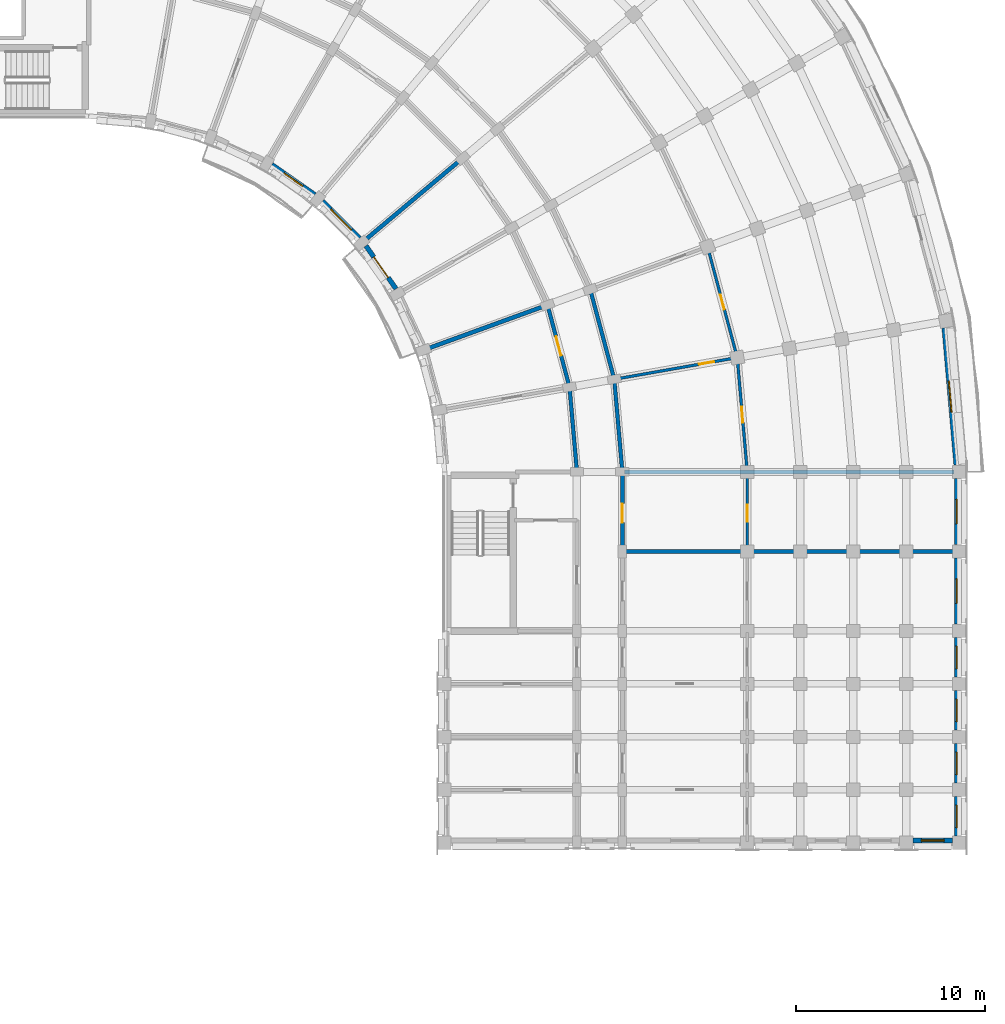
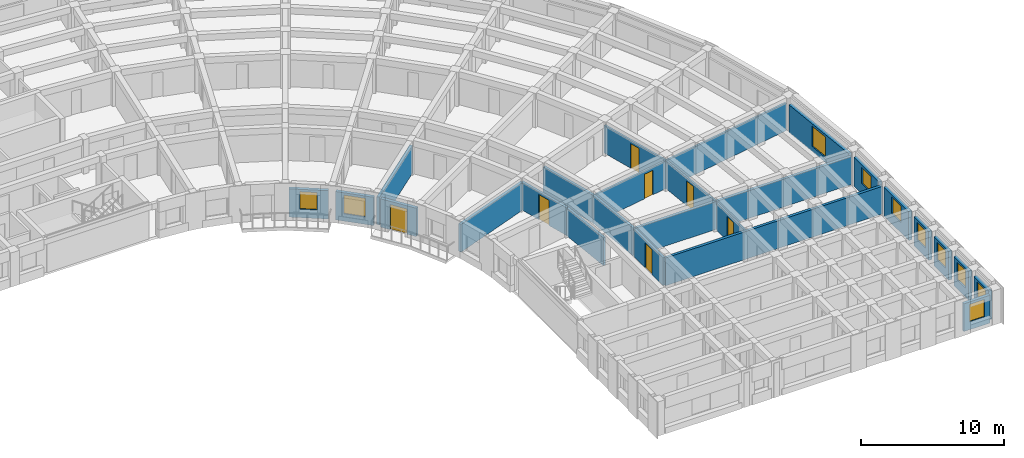
# One storey, part 34 of 57: 24 walls, 10 windows, 7 doors, 17 openings.
"""IFC4 building model written with IfcOpenShell, lengths in metres."""

import ifcopenshell
import ifcopenshell.guid

model = None  # the IFC model being written
_history = None  # IfcOwnerHistory: only IFC2X3 demands one
_inside = {}  # id of a spatial element -> (the spatial element, [elements in it])
_under = {}  # id of a project, library or spatial element -> (it, [spatial elements below it])
_declared = {}  # id of a project -> (the project, [libraries it declares])
_typed = {}  # id of a type object -> (the type object, [elements of that type])
_made_of = {}  # id of a material, layer set ... -> (it, [elements and type objects made of it])


def new_model(schema):
    """Start an empty IFC model of exactly this schema.

    Asked for "IFC4X3", IfcOpenShell would pick the latest addendum, in which some entities
    have other attributes; the version numbers below select the first issue.
    IFC2X3 requires an IfcOwnerHistory on every rooted entity: one is made here for all.
    """
    global model, _history
    if schema == "IFC4X3":
        model = ifcopenshell.file(schema_version=(4, 3, 0, 0))
    else:
        model = ifcopenshell.file(schema=schema)
    _inside.clear()
    _under.clear()
    _declared.clear()
    _typed.clear()
    _made_of.clear()
    _history = None
    if model.schema == "IFC2X3":
        org = make("IfcOrganization", Name="unknown")
        user = make(
            "IfcPersonAndOrganization",
            ThePerson=make("IfcPerson", FamilyName="unknown"),
            TheOrganization=org,
        )
        app = make(
            "IfcApplication",
            ApplicationDeveloper=org,
            Version="unknown",
            ApplicationFullName="unknown",
            ApplicationIdentifier="unknown",
        )
        _history = make(
            "IfcOwnerHistory",
            OwningUser=user,
            OwningApplication=app,
            ChangeAction="ADDED",
            CreationDate=0,
        )
    return model


def make(cls, **values):
    """One entity of the class cls with the attributes given. An attribute that is None is left unset."""
    return model.create_entity(
        cls, **{name: value for name, value in values.items() if value is not None}
    )


def rooted(cls, **values):
    """An entity with a GlobalId (a new one), such as an element, a storey or a relation."""
    return make(cls, GlobalId=ifcopenshell.guid.new(), OwnerHistory=_history, **values)


def si_unit(unit_type, name, prefix=None):
    """IfcSIUnit, for example si_unit("LENGTHUNIT", "METRE", prefix="MILLI")."""
    return make("IfcSIUnit", UnitType=unit_type, Prefix=prefix, Name=name)


def assignment(units):
    """IfcUnitAssignment: the units of a project."""
    return None if units is None else make("IfcUnitAssignment", Units=units)


def point(xyz):
    """IfcCartesianPoint."""
    return None if xyz is None else make("IfcCartesianPoint", Coordinates=xyz)


def direction(xyz):
    """IfcDirection."""
    return None if xyz is None else make("IfcDirection", DirectionRatios=xyz)


def frame(location, z_axis=None, x_axis=None):
    """IfcAxis2Placement3D, a coordinate frame: its origin and axes. An axis left out is left unset."""
    return make(
        "IfcAxis2Placement3D",
        Location=point(location),
        Axis=direction(z_axis),
        RefDirection=direction(x_axis),
    )


def frame_2d(location, x_axis=None):
    """IfcAxis2Placement2D, a coordinate frame in the plane: its origin and x axis."""
    return make(
        "IfcAxis2Placement2D", Location=point(location), RefDirection=direction(x_axis)
    )


def origin():
    """The frame at (0, 0, 0) with its axes left unset."""
    return frame((0.0, 0.0, 0.0))


def place(relative_to, where):
    """IfcLocalPlacement: puts the frame where relative to a parent placement (None: the world)."""
    return make(
        "IfcLocalPlacement", PlacementRelTo=relative_to, RelativePlacement=where
    )


def context(
    kind, dimensions, precision=None, world=None, true_north=None, identifier=None
):
    """IfcGeometricRepresentationContext, for example the 3D "Model" context."""
    return make(
        "IfcGeometricRepresentationContext",
        ContextIdentifier=identifier,
        ContextType=kind,
        CoordinateSpaceDimension=dimensions,
        Precision=precision,
        WorldCoordinateSystem=world,
        TrueNorth=true_north,
    )


def subcontext(parent, identifier, kind, view, scale=None):
    """IfcGeometricRepresentationSubContext, for example "Body" below "Model"."""
    return make(
        "IfcGeometricRepresentationSubContext",
        ContextIdentifier=identifier,
        ContextType=kind,
        ParentContext=parent,
        TargetScale=scale,
        TargetView=view,
    )


def project(units=None, contexts=None):
    """IfcProject with its units and contexts."""
    return rooted(
        "IfcProject",
        Name="project",
        RepresentationContexts=contexts,
        UnitsInContext=assignment(units),
    )


def spatial(cls, under=None, at=None, **own):
    """A site, building, storey or space (cls), placed at a placement, below another one or the project."""
    s = rooted(cls, ObjectPlacement=at, **own)
    if under is not None:
        _under.setdefault(under.id(), (under, []))[1].append(s)
    return s


def profile(cls, at=None, kind="AREA", **sizes):
    """A parametric profile (cls). Its sizes go by their IFC names, for example OverallWidth=200.0."""
    return make(cls, ProfileType=kind, Position=at, **sizes)


def rectangle(**sizes):
    """IfcRectangleProfileDef."""
    return profile("IfcRectangleProfileDef", **sizes)


def extrude(swept, where, along, depth):
    """IfcExtrudedAreaSolid: the profile swept, set in the frame where, extruded along a direction by depth."""
    return make(
        "IfcExtrudedAreaSolid",
        SweptArea=swept,
        Position=where,
        ExtrudedDirection=direction(along),
        Depth=depth,
    )


def shape(context_of_items, identifier, shape_type, items):
    """IfcShapeRepresentation: the items that make up one representation, for example the "Body"."""
    return make(
        "IfcShapeRepresentation",
        ContextOfItems=context_of_items,
        RepresentationIdentifier=identifier,
        RepresentationType=shape_type,
        Items=items,
    )


def material(Name=None, Category=None):
    """IfcMaterial."""
    return make("IfcMaterial", Name=Name, Category=Category)


def layer(
    of_material, thickness, ventilated=None, Name=None, Category=None, Priority=None
):
    """IfcMaterialLayer: one layer of a wall or slab, of a material (None: an air gap)."""
    return make(
        "IfcMaterialLayer",
        Material=of_material,
        LayerThickness=thickness,
        IsVentilated=ventilated,
        Name=Name,
        Category=Category,
        Priority=Priority,
    )


def layer_set(layers, Name=None):
    """IfcMaterialLayerSet."""
    return make("IfcMaterialLayerSet", MaterialLayers=layers, LayerSetName=Name)


def made_of(thing, what):
    """Note that an element or type object is made of a material, layer set ...; save() writes the relation."""
    if what is not None:
        _made_of.setdefault(what.id(), (what, []))[1].append(thing)
    return thing


def type_object(cls, material=None, **own):
    """A type object (cls), such as IfcWallType, which elements share."""
    return made_of(rooted(cls, **own), material)


def element(
    cls,
    number,
    at=None,
    inside=None,
    cuts=None,
    type_object=None,
    material=None,
    context=None,
    identifier="Body",
    shape_type=None,
    held_by="IfcProductDefinitionShape",
    body=None,
    shapes=None,
    **own,
):
    """One element of the class cls, such as IfcWall. Its Tag is "e" and its number.

    at: its placement. inside: the storey or other place that contains it. cuts: it is an
    opening in that element (IfcRelVoidsElement). A single representation is given by context,
    identifier, shape_type and body (its items); several are given by shapes. held_by: the class
    of the entity that holds the representations. save() writes the other relations.
    """
    e = rooted(cls, Tag="e%d" % number, ObjectPlacement=at, **own)
    if body is not None:
        shapes = [shape(context, identifier, shape_type, body)]
    if shapes is not None:
        e.Representation = make(held_by, Representations=shapes)
    if inside is not None:
        _inside.setdefault(inside.id(), (inside, []))[1].append(e)
    if cuts is not None:
        rooted(
            "IfcRelVoidsElement", RelatingBuildingElement=cuts, RelatedOpeningElement=e
        )
    if type_object is not None:
        _typed.setdefault(type_object.id(), (type_object, []))[1].append(e)
    return made_of(e, material)


def fill(opening, filler):
    """IfcRelFillsElement: the door or window that sits in an opening."""
    return rooted(
        "IfcRelFillsElement",
        RelatingOpeningElement=opening,
        RelatedBuildingElement=filler,
    )


def aggregate(whole, parts):
    """IfcRelAggregates: a whole, such as a stair, and the parts it consists of."""
    return rooted("IfcRelAggregates", RelatingObject=whole, RelatedObjects=parts)


def save(model, path):
    """Write the relations noted so far, then the file.

    IfcRelAggregates (storeys below a building ...), IfcRelContainedInSpatialStructure (elements
    in a storey), IfcRelDefinesByType, IfcRelAssociatesMaterial and IfcRelDeclares: one each for
    every whole, place, type object, material and project.
    """
    for whole, parts in _under.values():
        aggregate(whole, parts)
    for where, things in _inside.values():
        rooted(
            "IfcRelContainedInSpatialStructure",
            RelatedElements=things,
            RelatingStructure=where,
        )
    for kind, things in _typed.values():
        rooted("IfcRelDefinesByType", RelatedObjects=things, RelatingType=kind)
    for what, things in _made_of.values():
        rooted("IfcRelAssociatesMaterial", RelatedObjects=things, RelatingMaterial=what)
    for by, libraries in _declared.values():
        rooted("IfcRelDeclares", RelatingContext=by, RelatedDefinitions=libraries)
    model.write(path)


model = new_model("IFC4")

# Units and contexts
model_context = context("Model", 3, precision=1e-05, world=origin(), true_north=direction((0.0, 1.0)))
body_context = subcontext(model_context, "Body", "Model", "MODEL_VIEW")
ifc_project = project(units=[si_unit("LENGTHUNIT", "METRE"), si_unit("AREAUNIT", "SQUARE_METRE"), si_unit("VOLUMEUNIT", "CUBIC_METRE"), si_unit("PLANEANGLEUNIT", "RADIAN"), si_unit("MASSUNIT", "GRAM", prefix="KILO")], contexts=[model_context])

# Site, building, storey
site_placement = place(None, origin())
site = spatial("IfcSite", under=ifc_project, at=site_placement, CompositionType="ELEMENT")
building_placement = place(site_placement, origin())
building = spatial("IfcBuilding", under=site, at=building_placement, Name="Kiranvali Square Residences", CompositionType="ELEMENT")
storey_placement = place(building_placement, frame((0.0, 0.0, 18.14990234375)))
storey = spatial("IfcBuildingStorey", under=building, at=storey_placement, Name="L05", CompositionType="ELEMENT", Elevation=18.14990234375)

# Wall, opening, door
ifc_material_1 = material(Name="Autoclaved aerated concrete blockwork masonry", Category="masonry")
ifc_layer_1 = layer(ifc_material_1, 0.199951171875)
ifc_layer_set_1 = layer_set([ifc_layer_1], Name="Autoclaved aerated concrete blockwork masonry")
wall_type_1 = type_object("IfcWallType", Name="WL-COR-200", PredefinedType="STANDARD", material=ifc_layer_set_1)
wall_1_placement = place(storey_placement, frame((144.044189453125, 96.6240234375, 0.0), z_axis=(0.0, 0.0, 1.0), x_axis=(0.258787642463, -0.965934240054, 0.0)))
wall_1 = element("IfcWall", 1, at=wall_1_placement, inside=storey, type_object=wall_type_1, Name="L05 architectural wall WL-L05-B-CCI-7", PredefinedType="STANDARD", context=body_context, shape_type="SweptSolid", body=[
    extrude(rectangle(XDim=4.497314453125, YDim=0.199951171875, at=frame_2d((2.24853515625, 0.0))), origin(), (0.0, 0.0, 1.0), 2.3720703125),
])
opening_1_placement = place(wall_1_placement, frame((1.728515625, 0.0, 0.0)))
opening_1 = element("IfcOpeningElement", 2, at=opening_1_placement, cuts=wall_1, Name="Opening FD-APT-60B", PredefinedType="OPENING", context=body_context, shape_type="SweptSolid", body=[
    extrude(rectangle(XDim=1.0400390625, YDim=2.14990234375, at=frame_2d((0.52001953125, 1.074951171875))), frame((0.0, 0.10986328125, 0.0), z_axis=(0.0, -1.0, 0.0), x_axis=(1.0, 0.0, 0.0)), (0.0, 0.0, 1.0), 0.219970703125),
])
ifc_material_2 = material(Name="Fire-rated acoustic hardwood and mineral-core door assembly", Category="wood")
door_type_1 = type_object("IfcDoorType", Name="DR-APT-1040", OperationType="NOTDEFINED", PredefinedType="DOOR", material=ifc_material_2)
door_1_placement = place(opening_1_placement, origin())
door_1 = element("IfcDoor", 3, at=door_1_placement, inside=storey, type_object=door_type_1, Name="L05 door DR-L05-1309 (DR-APT-1040)", OperationType="SINGLE_SWING_LEFT", OverallHeight=2.14990234375, OverallWidth=1.0400390625, PredefinedType="DOOR", context=body_context, shape_type="SweptSolid", body=[
    extrude(rectangle(XDim=1.0400390625, YDim=2.14990234375, at=frame_2d((0.52001953125, 1.074951171875))), frame((0.0, 0.02490234375, 0.0), z_axis=(0.0, -1.0, 0.0), x_axis=(1.0, 0.0, 0.0)), (0.0, 0.0, 1.0), 0.050048828125),
])
fill(opening_1, door_1)

# Walls
wall_2_placement = place(storey_placement, frame((146.29931640625, 97.445068359375, 0.0), z_axis=(0.0, 0.0, 1.0), x_axis=(0.258803112091, -0.965930095386, 0.0)))
element("IfcWall", 4, at=wall_2_placement, inside=storey, type_object=wall_type_1, Name="L05 architectural wall WL-L05-B-CCO-7", PredefinedType="STANDARD", context=body_context, shape_type="SweptSolid", body=[
    extrude(rectangle(XDim=4.915771484375, YDim=0.199951171875, at=frame_2d((2.4580078125, 0.0))), origin(), (0.0, 0.0, 1.0), 2.3720703125),
])
wall_3_placement = place(storey_placement, frame((145.2080078125, 92.280029296875, 0.0), z_axis=(0.0, 0.0, 1.0), x_axis=(0.087187153726, -0.996191949488, 0.0)))
element("IfcWall", 5, at=wall_3_placement, inside=storey, type_object=wall_type_1, Name="L05 architectural wall WL-L05-B-CCI-8", PredefinedType="STANDARD", context=body_context, shape_type="SweptSolid", body=[
    extrude(rectangle(XDim=4.4970703125, YDim=0.199951171875, at=frame_2d((2.24853515625, 0.0))), origin(), (0.0, 0.0, 1.0), 2.3720703125),
])
wall_4_placement = place(storey_placement, frame((147.571533203125, 92.69677734375, 0.0), z_axis=(0.0, 0.0, 1.0), x_axis=(0.087167566415, -0.996193663584, 0.0)))
element("IfcWall", 6, at=wall_4_placement, inside=storey, type_object=wall_type_1, Name="L05 architectural wall WL-L05-B-CCO-8", PredefinedType="STANDARD", context=body_context, shape_type="SweptSolid", body=[
    extrude(rectangle(XDim=4.91552734375, YDim=0.199951171875, at=frame_2d((2.457763671875, 0.0))), origin(), (0.0, 0.0, 1.0), 2.3720703125),
])

# Wall, opening, door
wall_5_placement = place(storey_placement, frame((148.0, 87.64990234375, 0.0), z_axis=(0.0, 0.0, 1.0), x_axis=(0.0, -1.0, 0.0)))
wall_5 = element("IfcWall", 7, at=wall_5_placement, inside=storey, type_object=wall_type_1, Name="L05 architectural wall WL-L05-B-A2CF-C0", PredefinedType="STANDARD", context=body_context, shape_type="SweptSolid", body=[
    extrude(rectangle(XDim=4.0498046875, YDim=0.199951171875, at=frame_2d((2.02490234375, 0.0))), origin(), (0.0, 0.0, 1.0), 2.3720703125),
])
opening_2_placement = place(wall_5_placement, frame((1.52490234375, 0.0, 0.0)))
opening_2 = element("IfcOpeningElement", 8, at=opening_2_placement, cuts=wall_5, Name="Opening FD-APT-60", PredefinedType="OPENING", context=body_context, shape_type="SweptSolid", body=[
    extrude(rectangle(XDim=1.0, YDim=2.14990234375, at=frame_2d((0.5, 1.074951171875))), frame((0.0, 0.10986328125, 0.0), z_axis=(0.0, -1.0, 0.0), x_axis=(1.0, 0.0, 0.0)), (0.0, 0.0, 1.0), 0.219970703125),
])
door_type_2 = type_object("IfcDoorType", Name="DR-APT-1000", OperationType="NOTDEFINED", PredefinedType="DOOR", material=ifc_material_2)
door_2_placement = place(opening_2_placement, frame((1.0, 0.0, 0.0), z_axis=(0.0, 0.0, 1.0), x_axis=(-1.0, 0.0, 0.0)))
door_2 = element("IfcDoor", 9, at=door_2_placement, inside=storey, type_object=door_type_2, Name="L05 door DR-L05-1310 (DR-APT-1000)", OperationType="SINGLE_SWING_RIGHT", OverallHeight=2.14990234375, OverallWidth=1.0, PredefinedType="DOOR", context=body_context, shape_type="SweptSolid", body=[
    extrude(rectangle(XDim=1.0, YDim=2.14990234375, at=frame_2d((0.5, 1.074951171875))), frame((0.0, 0.02490234375, 0.0), z_axis=(0.0, -1.0, 0.0), x_axis=(1.0, 0.0, 0.0)), (0.0, 0.0, 1.0), 0.050048828125),
])
fill(opening_2, door_2)

# Walls
ifc_layer_2 = layer(ifc_material_1, 0.219970703125)
ifc_layer_set_2 = layer_set([ifc_layer_2], Name="Autoclaved aerated concrete blockwork masonry")
wall_type_2 = type_object("IfcWallType", Name="WL-DEM-220", PredefinedType="STANDARD", material=ifc_layer_set_2)
for number, where, z_axis, x_axis, name in (
    (10, (134.354736328125, 100.012939453125, 0.0), (0.0, 0.0, 1.0), (0.766046761698, 0.642784846501, 0.0), "L05 architectural wall WL-L05-B-RADI-5"),
    (11, (137.654052734375, 94.29833984375, 0.0), (0.0, 0.0, 1.0), (0.939696231917, 0.342010221662, 0.0), "L05 architectural wall WL-L05-B-RADI-7"),
):
    element("IfcWall", number, at=place(storey_placement, frame(where, z_axis=z_axis, x_axis=x_axis)), inside=storey, type_object=wall_type_2, Name=name, PredefinedType="STANDARD", context=body_context, shape_type="SweptSolid", body=[
        extrude(rectangle(XDim=6.75, YDim=0.219970703125, at=frame_2d((3.375, 0.0))), origin(), (0.0, 0.0, 1.0), 2.3720703125),
    ])
wall_6_placement = place(storey_placement, frame((148.10009765625, 87.800048828125, 0.0), z_axis=(0.0, 0.0, 1.0), x_axis=(1.0, 0.0, 0.0)))
element("IfcWall", 12, at=wall_6_placement, inside=storey, type_object=wall_type_2, Name="L05 architectural wall WL-L05-B-RADO-9", PredefinedType="STANDARD", context=body_context, shape_type="SweptSolid", body=[
    extrude(rectangle(XDim=17.419921875, YDim=0.219970703125, at=frame_2d((8.7099609375, 0.0))), origin(), (0.0, 0.0, 1.0), 2.3720703125),
])
wall_7_placement = place(storey_placement, frame((148.050048828125, 83.60009765625, 0.0), z_axis=(0.0, 0.0, 1.0), x_axis=(1.0, 0.0, 0.0)))
element("IfcWall", 13, at=wall_7_placement, inside=storey, type_object=wall_type_2, Name="L05 architectural wall WL-L05-B-A2CF-MID", PredefinedType="STANDARD", context=body_context, shape_type="SweptSolid", body=[
    extrude(rectangle(XDim=17.530029296875, YDim=0.219970703125, at=frame_2d((8.76513671875, 0.0))), origin(), (0.0, 0.0, 1.0), 2.3720703125),
])

# Wall, opening, window
ifc_material_3 = material(Name="Breathable lime-rendered clay brick masonry", Category="masonry")
ifc_layer_3 = layer(ifc_material_3, 0.25)
ifc_layer_set_3 = layer_set([ifc_layer_3], Name="Breathable lime-rendered clay brick masonry")
wall_type_3 = type_object("IfcWallType", Name="WL-EXT-250", PredefinedType="STANDARD", material=ifc_layer_set_3)
wall_8_placement = place(storey_placement, frame((165.00927734375, 95.402587890625, 0.0), z_axis=(0.0, 0.0, 1.0), x_axis=(0.08718487158, -0.99619214922, 0.0)))
wall_8 = element("IfcWall", 14, at=wall_8_placement, inside=storey, type_object=wall_type_3, Name="L05 exterior wall B-L05-CRV-08", PredefinedType="STANDARD", context=body_context, shape_type="SweptSolid", body=[
    extrude(rectangle(XDim=7.2666015625, YDim=0.25, at=frame_2d((3.63330078125, 0.0))), origin(), (0.0, 0.0, 1.0), 2.3720703125),
])
opening_3_placement = place(wall_8_placement, frame((2.808349609375, 0.0, 0.422119140625)))
opening_3 = element("IfcOpeningElement", 15, at=opening_3_placement, cuts=wall_8, Name="Opening W-13", PredefinedType="OPENING", context=body_context, shape_type="SweptSolid", body=[
    extrude(rectangle(XDim=1.64990234375, YDim=1.75, at=frame_2d((0.824951171875, 0.875))), frame((0.0, 0.135009765625, 0.0), z_axis=(0.0, -1.0, 0.0), x_axis=(1.0, 0.0, 0.0)), (0.0, 0.0, 1.0), 0.27001953125),
])
ifc_material_4 = material(Name="Solar-control low-e double glazing", Category="glass")
window_type_1 = type_object("IfcWindowType", Name="WIN-RES-1650x1750", PartitioningType="DOUBLE_PANEL_VERTICAL", PredefinedType="WINDOW", material=ifc_material_4)
window_1_placement = place(opening_3_placement, origin())
window_1 = element("IfcWindow", 16, at=window_1_placement, inside=storey, type_object=window_type_1, Name="L05 recessed window B-L05-CRV-08", OverallHeight=1.75, OverallWidth=1.64990234375, PartitioningType="DOUBLE_PANEL_VERTICAL", PredefinedType="WINDOW", context=body_context, shape_type="SweptSolid", body=[
    extrude(rectangle(XDim=1.64990234375, YDim=1.75, at=frame_2d((0.824951171875, 0.875))), frame((0.0, 0.030029296875, 0.0), z_axis=(0.0, -1.0, 0.0), x_axis=(1.0, 0.0, 0.0)), (0.0, 0.0, 1.0), 0.06005859375),
])
fill(opening_3, window_1)

wall_9_placement = place(storey_placement, frame((129.4794921875, 104.038330078125, 0.0), z_axis=(0.0, 0.0, 1.0), x_axis=(0.819111815273, -0.573633885053, 0.0)))
wall_9 = element("IfcWall", 17, at=wall_9_placement, inside=storey, type_object=wall_type_3, Name="L05 exterior wall B-L05-GDN-03", PredefinedType="STANDARD", context=body_context, shape_type="SweptSolid", body=[
    extrude(rectangle(XDim=2.769775390625, YDim=0.25, at=frame_2d((1.384765625, 0.0))), origin(), (0.0, 0.0, 1.0), 2.422119140625),
])
opening_4_placement = place(wall_9_placement, frame((0.784912109375, 0.0, 0.721923828125)))
opening_4 = element("IfcOpeningElement", 18, at=opening_4_placement, cuts=wall_9, Name="Opening W-06", PredefinedType="OPENING", context=body_context, shape_type="SweptSolid", body=[
    extrude(rectangle(XDim=1.199951171875, YDim=1.5, at=frame_2d((0.60009765625, 0.75))), frame((0.0, 0.135009765625, 0.0), z_axis=(0.0, -1.0, 0.0), x_axis=(1.0, 0.0, 0.0)), (0.0, 0.0, 1.0), 0.27001953125),
])
window_type_2 = type_object("IfcWindowType", Name="WIN-RES-1200x1500", PartitioningType="SINGLE_PANEL", PredefinedType="WINDOW", material=ifc_material_4)
window_2_placement = place(opening_4_placement, origin())
window_2 = element("IfcWindow", 19, at=window_2_placement, inside=storey, type_object=window_type_2, Name="L05 recessed window B-L05-GDN-03", OverallHeight=1.5, OverallWidth=1.199951171875, PartitioningType="SINGLE_PANEL", PredefinedType="WINDOW", context=body_context, shape_type="SweptSolid", body=[
    extrude(rectangle(XDim=1.199951171875, YDim=1.5, at=frame_2d((0.60009765625, 0.75))), frame((0.0, 0.030029296875, 0.0), z_axis=(0.0, -1.0, 0.0), x_axis=(1.0, 0.0, 0.0)), (0.0, 0.0, 1.0), 0.06005859375),
])
fill(opening_4, window_2)

wall_10_placement = place(storey_placement, frame((132.152099609375, 102.11083984375, 0.0), z_axis=(0.0, 0.0, 1.0), x_axis=(0.707106781187, -0.707106781187, 0.0)))
wall_10 = element("IfcWall", 20, at=wall_10_placement, inside=storey, type_object=wall_type_3, Name="L05 exterior wall B-L05-GDN-04", PredefinedType="STANDARD", context=body_context, shape_type="SweptSolid", body=[
    extrude(rectangle(XDim=2.77001953125, YDim=0.25, at=frame_2d((1.385009765625, 0.0))), origin(), (0.0, 0.0, 1.0), 2.422119140625),
])
opening_5_placement = place(wall_10_placement, frame((0.60986328125, 0.0, 0.6220703125)))
opening_5 = element("IfcOpeningElement", 21, at=opening_5_placement, cuts=wall_10, Name="Opening W-18", PredefinedType="OPENING", context=body_context, shape_type="SweptSolid", body=[
    extrude(rectangle(XDim=1.550048828125, YDim=1.60009765625, at=frame_2d((0.77490234375, 0.800048828125))), frame((0.0, 0.135009765625, 0.0), z_axis=(0.0, -1.0, 0.0), x_axis=(1.0, 0.0, 0.0)), (0.0, 0.0, 1.0), 0.27001953125),
])
window_type_3 = type_object("IfcWindowType", Name="WIN-GDN-1550x1600", PartitioningType="DOUBLE_PANEL_VERTICAL", PredefinedType="WINDOW", material=ifc_material_4)
window_3_placement = place(opening_5_placement, origin())
window_3 = element("IfcWindow", 22, at=window_3_placement, inside=storey, type_object=window_type_3, Name="L05 recessed window B-L05-GDN-04", OverallHeight=1.60009765625, OverallWidth=1.550048828125, PartitioningType="DOUBLE_PANEL_VERTICAL", PredefinedType="WINDOW", context=body_context, shape_type="SweptSolid", body=[
    extrude(rectangle(XDim=1.550048828125, YDim=1.60009765625, at=frame_2d((0.77490234375, 0.800048828125))), frame((0.0, 0.030029296875, 0.0), z_axis=(0.0, -1.0, 0.0), x_axis=(1.0, 0.0, 0.0)), (0.0, 0.0, 1.0), 0.06005859375),
])
fill(opening_5, window_3)

# Wall, opening, door
wall_11_placement = place(storey_placement, frame((134.449462890625, 99.748291015625, 0.0), z_axis=(0.0, 0.0, 1.0), x_axis=(0.573633885053, -0.819111815273, 0.0)))
wall_11 = element("IfcWall", 23, at=wall_11_placement, inside=storey, type_object=wall_type_3, Name="L05 exterior wall B-L05-GDN-05", PredefinedType="STANDARD", context=body_context, shape_type="SweptSolid", body=[
    extrude(rectangle(XDim=2.769775390625, YDim=0.25, at=frame_2d((1.384765625, 0.0))), origin(), (0.0, 0.0, 1.0), 2.422119140625),
])
opening_6_placement = place(wall_11_placement, frame((0.724853515625, 0.0, 0.0)))
opening_6 = element("IfcOpeningElement", 24, at=opening_6_placement, cuts=wall_11, Name="Opening ED-BAL-3", PredefinedType="OPENING", context=body_context, shape_type="SweptSolid", body=[
    extrude(rectangle(XDim=1.320068359375, YDim=2.14990234375, at=frame_2d((0.66015625, 1.074951171875))), frame((0.0, 0.135009765625, 0.0), z_axis=(0.0, -1.0, 0.0), x_axis=(1.0, 0.0, 0.0)), (0.0, 0.0, 1.0), 0.27001953125),
])
ifc_material_5 = material(Name="Anodised bronze aluminium framing", Category="aluminium")
door_type_3 = type_object("IfcDoorType", Name="DR-BAL-1320", OperationType="NOTDEFINED", PredefinedType="DOOR", material=ifc_material_5)
door_3_placement = place(opening_6_placement, frame((1.320068359375, 0.0, 0.0), z_axis=(0.0, 0.0, 1.0), x_axis=(-1.0, 0.0, 0.0)))
door_3 = element("IfcDoor", 25, at=door_3_placement, inside=storey, type_object=door_type_3, Name="L05 balcony terrace door", OperationType="SINGLE_SWING_RIGHT", OverallHeight=2.14990234375, OverallWidth=1.320068359375, PredefinedType="DOOR", context=body_context, shape_type="SweptSolid", body=[
    extrude(rectangle(XDim=1.320068359375, YDim=2.14990234375, at=frame_2d((0.66015625, 1.074951171875))), frame((0.0, 0.02490234375, 0.0), z_axis=(0.0, -1.0, 0.0), x_axis=(1.0, 0.0, 0.0)), (0.0, 0.0, 1.0), 0.050048828125),
])
fill(opening_6, door_3)

# Wall, opening, window
wall_12_placement = place(storey_placement, frame((165.675048828125, 87.446533203125, 0.0), z_axis=(0.0, 0.0, 1.0), x_axis=(0.0, -1.0, 0.0)))
wall_12 = element("IfcWall", 26, at=wall_12_placement, inside=storey, type_object=wall_type_3, Name="L05 exterior wall B-L05-A2O-0", PredefinedType="STANDARD", context=body_context, shape_type="SweptSolid", body=[
    extrude(rectangle(XDim=3.492919921875, YDim=0.25, at=frame_2d((1.74658203125, 0.0))), origin(), (0.0, 0.0, 1.0), 2.47216796875),
])
opening_7_placement = place(wall_12_placement, frame((1.096435546875, 0.0, 0.8798828125)))
opening_7 = element("IfcOpeningElement", 27, at=opening_7_placement, cuts=wall_12, Name="Opening W-23", PredefinedType="OPENING", context=body_context, shape_type="SweptSolid", body=[
    extrude(rectangle(XDim=1.300048828125, YDim=1.39990234375, at=frame_2d((0.64990234375, 0.699951171875))), frame((0.0, 0.135009765625, 0.0), z_axis=(0.0, -1.0, 0.0), x_axis=(1.0, 0.0, 0.0)), (0.0, 0.0, 1.0), 0.27001953125),
])
window_type_4 = type_object("IfcWindowType", Name="WIN-COR-1300x1400", PartitioningType="DOUBLE_PANEL_HORIZONTAL", PredefinedType="WINDOW", material=ifc_material_4)
window_4_placement = place(opening_7_placement, origin())
window_4 = element("IfcWindow", 28, at=window_4_placement, inside=storey, type_object=window_type_4, Name="L05 recessed window B-L05-A2O-0", OverallHeight=1.39990234375, OverallWidth=1.300048828125, PartitioningType="DOUBLE_PANEL_HORIZONTAL", PredefinedType="WINDOW", context=body_context, shape_type="SweptSolid", body=[
    extrude(rectangle(XDim=1.300048828125, YDim=1.39990234375, at=frame_2d((0.64990234375, 0.699951171875))), frame((0.0, 0.030029296875, 0.0), z_axis=(0.0, -1.0, 0.0), x_axis=(1.0, 0.0, 0.0)), (0.0, 0.0, 1.0), 0.06005859375),
])
fill(opening_7, window_4)

wall_13_placement = place(storey_placement, frame((165.675048828125, 83.24658203125, 0.0), z_axis=(0.0, 0.0, 1.0), x_axis=(0.0, -1.0, 0.0)))
wall_13 = element("IfcWall", 29, at=wall_13_placement, inside=storey, type_object=wall_type_3, Name="L05 exterior wall B-L05-A2O-1", PredefinedType="STANDARD", context=body_context, shape_type="SweptSolid", body=[
    extrude(rectangle(XDim=3.4931640625, YDim=0.25, at=frame_2d((1.74658203125, 0.0))), origin(), (0.0, 0.0, 1.0), 2.47216796875),
])
opening_8_placement = place(wall_13_placement, frame((1.096435546875, 0.0, 0.8798828125)))
opening_8 = element("IfcOpeningElement", 30, at=opening_8_placement, cuts=wall_13, Name="Opening W-23", PredefinedType="OPENING", context=body_context, shape_type="SweptSolid", body=[
    extrude(rectangle(XDim=1.300048828125, YDim=1.39990234375, at=frame_2d((0.64990234375, 0.699951171875))), frame((0.0, 0.135009765625, 0.0), z_axis=(0.0, -1.0, 0.0), x_axis=(1.0, 0.0, 0.0)), (0.0, 0.0, 1.0), 0.27001953125),
])
window_5_placement = place(opening_8_placement, origin())
window_5 = element("IfcWindow", 31, at=window_5_placement, inside=storey, type_object=window_type_4, Name="L05 recessed window B-L05-A2O-1", OverallHeight=1.39990234375, OverallWidth=1.300048828125, PartitioningType="DOUBLE_PANEL_HORIZONTAL", PredefinedType="WINDOW", context=body_context, shape_type="SweptSolid", body=[
    extrude(rectangle(XDim=1.300048828125, YDim=1.39990234375, at=frame_2d((0.64990234375, 0.699951171875))), frame((0.0, 0.030029296875, 0.0), z_axis=(0.0, -1.0, 0.0), x_axis=(1.0, 0.0, 0.0)), (0.0, 0.0, 1.0), 0.06005859375),
])
fill(opening_8, window_5)

wall_14_placement = place(storey_placement, frame((165.675048828125, 79.04638671875, 0.0), z_axis=(0.0, 0.0, 1.0), x_axis=(0.0, -1.0, 0.0)))
wall_14 = element("IfcWall", 32, at=wall_14_placement, inside=storey, type_object=wall_type_3, Name="L05 exterior wall B-L05-A2O-2", PredefinedType="STANDARD", context=body_context, shape_type="SweptSolid", body=[
    extrude(rectangle(XDim=2.0927734375, YDim=0.25, at=frame_2d((1.04638671875, 0.0))), origin(), (0.0, 0.0, 1.0), 2.47216796875),
])
opening_9_placement = place(wall_14_placement, frame((0.446533203125, 0.0, 0.77197265625)))
opening_9 = element("IfcOpeningElement", 33, at=opening_9_placement, cuts=wall_14, Name="Opening W-06", PredefinedType="OPENING", context=body_context, shape_type="SweptSolid", body=[
    extrude(rectangle(XDim=1.199951171875, YDim=1.5, at=frame_2d((0.60009765625, 0.75))), frame((0.0, 0.135009765625, 0.0), z_axis=(0.0, -1.0, 0.0), x_axis=(1.0, 0.0, 0.0)), (0.0, 0.0, 1.0), 0.27001953125),
])
window_6_placement = place(opening_9_placement, origin())
window_6 = element("IfcWindow", 34, at=window_6_placement, inside=storey, type_object=window_type_2, Name="L05 recessed window B-L05-A2O-2", OverallHeight=1.5, OverallWidth=1.199951171875, PartitioningType="SINGLE_PANEL", PredefinedType="WINDOW", context=body_context, shape_type="SweptSolid", body=[
    extrude(rectangle(XDim=1.199951171875, YDim=1.5, at=frame_2d((0.60009765625, 0.75))), frame((0.0, 0.030029296875, 0.0), z_axis=(0.0, -1.0, 0.0), x_axis=(1.0, 0.0, 0.0)), (0.0, 0.0, 1.0), 0.06005859375),
])
fill(opening_9, window_6)

wall_15_placement = place(storey_placement, frame((165.675048828125, 76.24658203125, 0.0), z_axis=(0.0, 0.0, 1.0), x_axis=(0.0, -1.0, 0.0)))
wall_15 = element("IfcWall", 35, at=wall_15_placement, inside=storey, type_object=wall_type_3, Name="L05 exterior wall B-L05-A2O-3", PredefinedType="STANDARD", context=body_context, shape_type="SweptSolid", body=[
    extrude(rectangle(XDim=2.093017578125, YDim=0.25, at=frame_2d((1.04638671875, 0.0))), origin(), (0.0, 0.0, 1.0), 2.47216796875),
])
opening_10_placement = place(wall_15_placement, frame((0.446533203125, 0.0, 0.77197265625)))
opening_10 = element("IfcOpeningElement", 36, at=opening_10_placement, cuts=wall_15, Name="Opening W-06", PredefinedType="OPENING", context=body_context, shape_type="SweptSolid", body=[
    extrude(rectangle(XDim=1.199951171875, YDim=1.5, at=frame_2d((0.60009765625, 0.75))), frame((0.0, 0.135009765625, 0.0), z_axis=(0.0, -1.0, 0.0), x_axis=(1.0, 0.0, 0.0)), (0.0, 0.0, 1.0), 0.27001953125),
])
window_7_placement = place(opening_10_placement, origin())
window_7 = element("IfcWindow", 37, at=window_7_placement, inside=storey, type_object=window_type_2, Name="L05 recessed window B-L05-A2O-3", OverallHeight=1.5, OverallWidth=1.199951171875, PartitioningType="SINGLE_PANEL", PredefinedType="WINDOW", context=body_context, shape_type="SweptSolid", body=[
    extrude(rectangle(XDim=1.199951171875, YDim=1.5, at=frame_2d((0.60009765625, 0.75))), frame((0.0, 0.030029296875, 0.0), z_axis=(0.0, -1.0, 0.0), x_axis=(1.0, 0.0, 0.0)), (0.0, 0.0, 1.0), 0.06005859375),
])
fill(opening_10, window_7)

wall_16_placement = place(storey_placement, frame((165.675048828125, 73.446533203125, 0.0), z_axis=(0.0, 0.0, 1.0), x_axis=(0.0, -1.0, 0.0)))
wall_16 = element("IfcWall", 38, at=wall_16_placement, inside=storey, type_object=wall_type_3, Name="L05 exterior wall B-L05-A2O-4", PredefinedType="STANDARD", context=body_context, shape_type="SweptSolid", body=[
    extrude(rectangle(XDim=2.093017578125, YDim=0.25, at=frame_2d((1.04638671875, 0.0))), origin(), (0.0, 0.0, 1.0), 2.47216796875),
])
opening_11_placement = place(wall_16_placement, frame((0.446533203125, 0.0, 0.77197265625)))
opening_11 = element("IfcOpeningElement", 39, at=opening_11_placement, cuts=wall_16, Name="Opening W-06", PredefinedType="OPENING", context=body_context, shape_type="SweptSolid", body=[
    extrude(rectangle(XDim=1.199951171875, YDim=1.5, at=frame_2d((0.60009765625, 0.75))), frame((0.0, 0.135009765625, 0.0), z_axis=(0.0, -1.0, 0.0), x_axis=(1.0, 0.0, 0.0)), (0.0, 0.0, 1.0), 0.27001953125),
])
window_8_placement = place(opening_11_placement, origin())
window_8 = element("IfcWindow", 40, at=window_8_placement, inside=storey, type_object=window_type_2, Name="L05 recessed window B-L05-A2O-4", OverallHeight=1.5, OverallWidth=1.199951171875, PartitioningType="SINGLE_PANEL", PredefinedType="WINDOW", context=body_context, shape_type="SweptSolid", body=[
    extrude(rectangle(XDim=1.199951171875, YDim=1.5, at=frame_2d((0.60009765625, 0.75))), frame((0.0, 0.030029296875, 0.0), z_axis=(0.0, -1.0, 0.0), x_axis=(1.0, 0.0, 0.0)), (0.0, 0.0, 1.0), 0.06005859375),
])
fill(opening_11, window_8)

wall_17_placement = place(storey_placement, frame((165.675048828125, 70.646484375, 0.0), z_axis=(0.0, 0.0, 1.0), x_axis=(0.0, -1.0, 0.0)))
wall_17 = element("IfcWall", 41, at=wall_17_placement, inside=storey, type_object=wall_type_3, Name="L05 exterior wall B-L05-A2O-5", PredefinedType="STANDARD", context=body_context, shape_type="SweptSolid", body=[
    extrude(rectangle(XDim=2.093017578125, YDim=0.25, at=frame_2d((1.04638671875, 0.0))), origin(), (0.0, 0.0, 1.0), 2.47216796875),
])
opening_12_placement = place(wall_17_placement, frame((0.446533203125, 0.0, 0.77197265625)))
opening_12 = element("IfcOpeningElement", 42, at=opening_12_placement, cuts=wall_17, Name="Opening W-06", PredefinedType="OPENING", context=body_context, shape_type="SweptSolid", body=[
    extrude(rectangle(XDim=1.199951171875, YDim=1.5, at=frame_2d((0.60009765625, 0.75))), frame((0.0, 0.135009765625, 0.0), z_axis=(0.0, -1.0, 0.0), x_axis=(1.0, 0.0, 0.0)), (0.0, 0.0, 1.0), 0.27001953125),
])
window_9_placement = place(opening_12_placement, origin())
window_9 = element("IfcWindow", 43, at=window_9_placement, inside=storey, type_object=window_type_2, Name="L05 recessed window B-L05-A2O-5", OverallHeight=1.5, OverallWidth=1.199951171875, PartitioningType="SINGLE_PANEL", PredefinedType="WINDOW", context=body_context, shape_type="SweptSolid", body=[
    extrude(rectangle(XDim=1.199951171875, YDim=1.5, at=frame_2d((0.60009765625, 0.75))), frame((0.0, 0.030029296875, 0.0), z_axis=(0.0, -1.0, 0.0), x_axis=(1.0, 0.0, 0.0)), (0.0, 0.0, 1.0), 0.06005859375),
])
fill(opening_12, window_9)

wall_18_placement = place(storey_placement, frame((163.353515625, 68.324951171875, 0.0), z_axis=(0.0, 0.0, 1.0), x_axis=(1.0, 0.0, 0.0)))
wall_18 = element("IfcWall", 44, at=wall_18_placement, inside=storey, type_object=wall_type_3, Name="L05 exterior wall B-L05-A2END-6", PredefinedType="STANDARD", context=body_context, shape_type="SweptSolid", body=[
    extrude(rectangle(XDim=2.093017578125, YDim=0.25, at=frame_2d((1.04638671875, 0.0))), origin(), (0.0, 0.0, 1.0), 2.3720703125),
])
opening_13_placement = place(wall_18_placement, frame((0.446533203125, 0.0, 0.672119140625)))
opening_13 = element("IfcOpeningElement", 45, at=opening_13_placement, cuts=wall_18, Name="Opening W-06", PredefinedType="OPENING", context=body_context, shape_type="SweptSolid", body=[
    extrude(rectangle(XDim=1.199951171875, YDim=1.5, at=frame_2d((0.60009765625, 0.75))), frame((0.0, 0.135009765625, 0.0), z_axis=(0.0, -1.0, 0.0), x_axis=(1.0, 0.0, 0.0)), (0.0, 0.0, 1.0), 0.27001953125),
])
window_10_placement = place(opening_13_placement, origin())
window_10 = element("IfcWindow", 46, at=window_10_placement, inside=storey, type_object=window_type_2, Name="L05 recessed window B-L05-A2END-6", OverallHeight=1.5, OverallWidth=1.199951171875, PartitioningType="SINGLE_PANEL", PredefinedType="WINDOW", context=body_context, shape_type="SweptSolid", body=[
    extrude(rectangle(XDim=1.199951171875, YDim=1.5, at=frame_2d((0.60009765625, 0.75))), frame((0.0, 0.030029296875, 0.0), z_axis=(0.0, -1.0, 0.0), x_axis=(1.0, 0.0, 0.0)), (0.0, 0.0, 1.0), 0.06005859375),
])
fill(opening_13, window_10)

# Wall, opening, door
ifc_material_6 = material(Name="Acoustic gypsum board drylined partition", Category="gypsum")
ifc_layer_4 = layer(ifc_material_6, 0.14990234375)
ifc_layer_set_4 = layer_set([ifc_layer_4], Name="Acoustic gypsum board drylined partition")
wall_type_4 = type_object("IfcWallType", Name="WL-PRT-150", PredefinedType="PARTITIONING", material=ifc_layer_set_4)
wall_19_placement = place(storey_placement, frame((147.670166015625, 92.71435546875, 0.0), z_axis=(0.0, 0.0, 1.0), x_axis=(0.984808098809, 0.173646216546, 0.0)))
wall_19 = element("IfcWall", 47, at=wall_19_placement, inside=storey, type_object=wall_type_4, Name="L05 architectural wall WL-L05-B-RADO-8", PredefinedType="PARTITIONING", context=body_context, shape_type="SweptSolid", body=[
    extrude(rectangle(XDim=17.419921875, YDim=0.14990234375, at=frame_2d((8.7099609375, 0.0))), origin(), (0.0, 0.0, 1.0), 2.3720703125),
])
opening_14_placement = place(wall_19_placement, frame((4.44970703125, 0.0, 0.0)))
opening_14 = element("IfcOpeningElement", 48, at=opening_14_placement, cuts=wall_19, Name="Opening ID-WET", PredefinedType="OPENING", context=body_context, shape_type="SweptSolid", body=[
    extrude(rectangle(XDim=0.800048828125, YDim=2.10009765625, at=frame_2d((0.39990234375, 1.050048828125))), frame((0.0, 0.0849609375, 0.0), z_axis=(0.0, -1.0, 0.0), x_axis=(1.0, 0.0, 0.0)), (0.0, 0.0, 1.0), 0.169921875),
])
ifc_material_7 = material(Name="Solid seasoned teak hardwood joinery", Category="wood")
door_type_4 = type_object("IfcDoorType", Name="DR-WET-800", OperationType="NOTDEFINED", PredefinedType="DOOR", material=ifc_material_7)
door_4_placement = place(opening_14_placement, frame((0.800048828125, 0.0, 0.0), z_axis=(0.0, 0.0, 1.0), x_axis=(-1.0, 0.0, 0.0)))
door_4 = element("IfcDoor", 49, at=door_4_placement, inside=storey, type_object=door_type_4, Name="L05 door DR-L05-1292 (DR-WET-800)", OperationType="SINGLE_SWING_RIGHT", OverallHeight=2.10009765625, OverallWidth=0.800048828125, PredefinedType="DOOR", context=body_context, shape_type="SweptSolid", body=[
    extrude(rectangle(XDim=0.800048828125, YDim=2.10009765625, at=frame_2d((0.39990234375, 1.050048828125))), frame((0.0, 0.02490234375, 0.0), z_axis=(0.0, -1.0, 0.0), x_axis=(1.0, 0.0, 0.0)), (0.0, 0.0, 1.0), 0.050048828125),
])
fill(opening_14, door_4)

wall_20_placement = place(storey_placement, frame((154.60009765625, 87.570068359375, 0.0), z_axis=(0.0, 0.0, 1.0), x_axis=(0.0, -1.0, 0.0)))
wall_20 = element("IfcWall", 50, at=wall_20_placement, inside=storey, type_object=wall_type_4, Name="L05 architectural wall WL-L05-B-A2CF-SP0", PredefinedType="PARTITIONING", context=body_context, shape_type="SweptSolid", body=[
    extrude(rectangle(XDim=3.89013671875, YDim=0.14990234375, at=frame_2d((1.945068359375, 0.0))), origin(), (0.0, 0.0, 1.0), 2.3720703125),
])
opening_15_placement = place(wall_20_placement, frame((1.4951171875, 0.0, 0.0)))
opening_15 = element("IfcOpeningElement", 51, at=opening_15_placement, cuts=wall_20, Name="Opening ID-1", PredefinedType="OPENING", context=body_context, shape_type="SweptSolid", body=[
    extrude(rectangle(XDim=0.89990234375, YDim=2.10009765625, at=frame_2d((0.449951171875, 1.050048828125))), frame((0.0, 0.0849609375, 0.0), z_axis=(0.0, -1.0, 0.0), x_axis=(1.0, 0.0, 0.0)), (0.0, 0.0, 1.0), 0.169921875),
])
door_type_5 = type_object("IfcDoorType", Name="DR-INT-900", OperationType="NOTDEFINED", PredefinedType="DOOR", material=ifc_material_7)
door_5_placement = place(opening_15_placement, origin())
door_5 = element("IfcDoor", 52, at=door_5_placement, inside=storey, type_object=door_type_5, Name="L05 door DR-L05-1311 (DR-INT-900)", OperationType="SINGLE_SWING_LEFT", OverallHeight=2.10009765625, OverallWidth=0.89990234375, PredefinedType="DOOR", context=body_context, shape_type="SweptSolid", body=[
    extrude(rectangle(XDim=0.89990234375, YDim=2.10009765625, at=frame_2d((0.449951171875, 1.050048828125))), frame((0.0, 0.02490234375, 0.0), z_axis=(0.0, -1.0, 0.0), x_axis=(1.0, 0.0, 0.0)), (0.0, 0.0, 1.0), 0.050048828125),
])
fill(opening_15, door_5)

ifc_layer_5 = layer(ifc_material_1, 0.14990234375)
ifc_layer_set_5 = layer_set([ifc_layer_5], Name="Autoclaved aerated concrete blockwork masonry")
wall_type_5 = type_object("IfcWallType", Name="WL-WET-150", PredefinedType="PLUMBINGWALL", material=ifc_layer_set_5)
wall_21_placement = place(storey_placement, frame((152.501220703125, 99.702392578125, 0.0), z_axis=(0.0, 0.0, 1.0), x_axis=(0.258827283048, -0.965923618901, 0.0)))
wall_21 = element("IfcWall", 53, at=wall_21_placement, inside=storey, type_object=wall_type_5, Name="L05 architectural wall WL-L05-B-CWET-7", PredefinedType="PLUMBINGWALL", context=body_context, shape_type="SweptSolid", body=[
    extrude(rectangle(XDim=6.066162109375, YDim=0.14990234375, at=frame_2d((3.033203125, 0.0))), origin(), (0.0, 0.0, 1.0), 2.3720703125),
])
opening_16_placement = place(wall_21_placement, frame((2.633056640625, 0.0, 0.0)))
opening_16 = element("IfcOpeningElement", 54, at=opening_16_placement, cuts=wall_21, Name="Opening ID-WET", PredefinedType="OPENING", context=body_context, shape_type="SweptSolid", body=[
    extrude(rectangle(XDim=0.800048828125, YDim=2.10009765625, at=frame_2d((0.39990234375, 1.050048828125))), frame((0.0, 0.0849609375, 0.0), z_axis=(0.0, -1.0, 0.0), x_axis=(1.0, 0.0, 0.0)), (0.0, 0.0, 1.0), 0.169921875),
])
door_6_placement = place(opening_16_placement, frame((0.800048828125, 0.0, 0.0), z_axis=(0.0, 0.0, 1.0), x_axis=(-1.0, 0.0, 0.0)))
door_6 = element("IfcDoor", 55, at=door_6_placement, inside=storey, type_object=door_type_4, Name="L05 door DR-L05-1304 (DR-WET-800)", OperationType="SINGLE_SWING_RIGHT", OverallHeight=2.10009765625, OverallWidth=0.800048828125, PredefinedType="DOOR", context=body_context, shape_type="SweptSolid", body=[
    extrude(rectangle(XDim=0.800048828125, YDim=2.10009765625, at=frame_2d((0.39990234375, 1.050048828125))), frame((0.0, 0.02490234375, 0.0), z_axis=(0.0, -1.0, 0.0), x_axis=(1.0, 0.0, 0.0)), (0.0, 0.0, 1.0), 0.050048828125),
])
fill(opening_16, door_6)

wall_22_placement = place(storey_placement, frame((154.0712890625, 93.843017578125, 0.0), z_axis=(0.0, 0.0, 1.0), x_axis=(0.087174938512, -0.996193018494, 0.0)))
wall_22 = element("IfcWall", 56, at=wall_22_placement, inside=storey, type_object=wall_type_5, Name="L05 architectural wall WL-L05-B-CWET-8", PredefinedType="PLUMBINGWALL", context=body_context, shape_type="SweptSolid", body=[
    extrude(rectangle(XDim=6.066162109375, YDim=0.14990234375, at=frame_2d((3.033203125, 0.0))), origin(), (0.0, 0.0, 1.0), 2.3720703125),
])
opening_17_placement = place(wall_22_placement, frame((2.613037109375, 0.0, 0.0)))
opening_17 = element("IfcOpeningElement", 57, at=opening_17_placement, cuts=wall_22, Name="Opening ID-WET2", PredefinedType="OPENING", context=body_context, shape_type="SweptSolid", body=[
    extrude(rectangle(XDim=0.840087890625, YDim=2.10009765625, at=frame_2d((0.419921875, 1.050048828125))), frame((0.0, 0.0849609375, 0.0), z_axis=(0.0, -1.0, 0.0), x_axis=(1.0, 0.0, 0.0)), (0.0, 0.0, 1.0), 0.169921875),
])
door_type_6 = type_object("IfcDoorType", Name="DR-WET-840", OperationType="NOTDEFINED", PredefinedType="DOOR", material=ifc_material_7)
door_7_placement = place(opening_17_placement, origin())
door_7 = element("IfcDoor", 58, at=door_7_placement, inside=storey, type_object=door_type_6, Name="L05 door DR-L05-1305 (DR-WET-840)", OperationType="SINGLE_SWING_LEFT", OverallHeight=2.10009765625, OverallWidth=0.840087890625, PredefinedType="DOOR", context=body_context, shape_type="SweptSolid", body=[
    extrude(rectangle(XDim=0.840087890625, YDim=2.10009765625, at=frame_2d((0.419921875, 1.050048828125))), frame((0.0, 0.02490234375, 0.0), z_axis=(0.0, -1.0, 0.0), x_axis=(1.0, 0.0, 0.0)), (0.0, 0.0, 1.0), 0.050048828125),
])
fill(opening_17, door_7)

save(model, "model.ifc")
